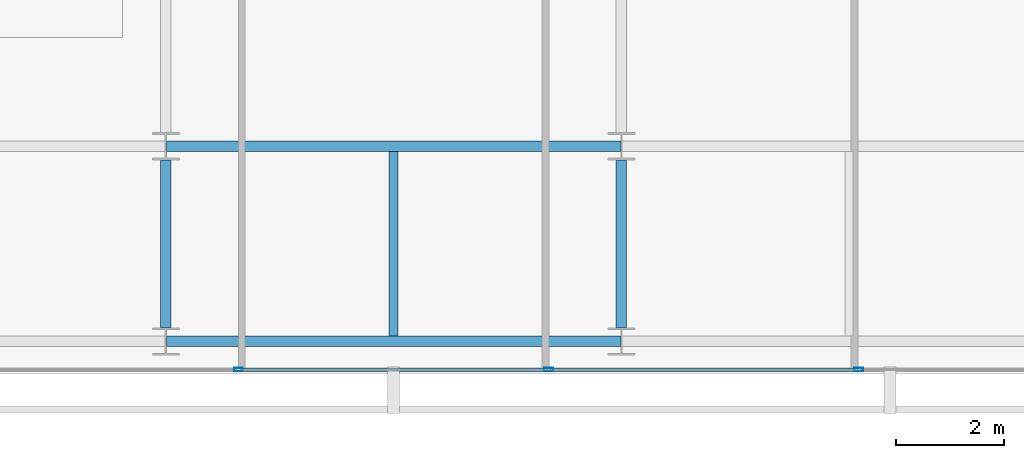
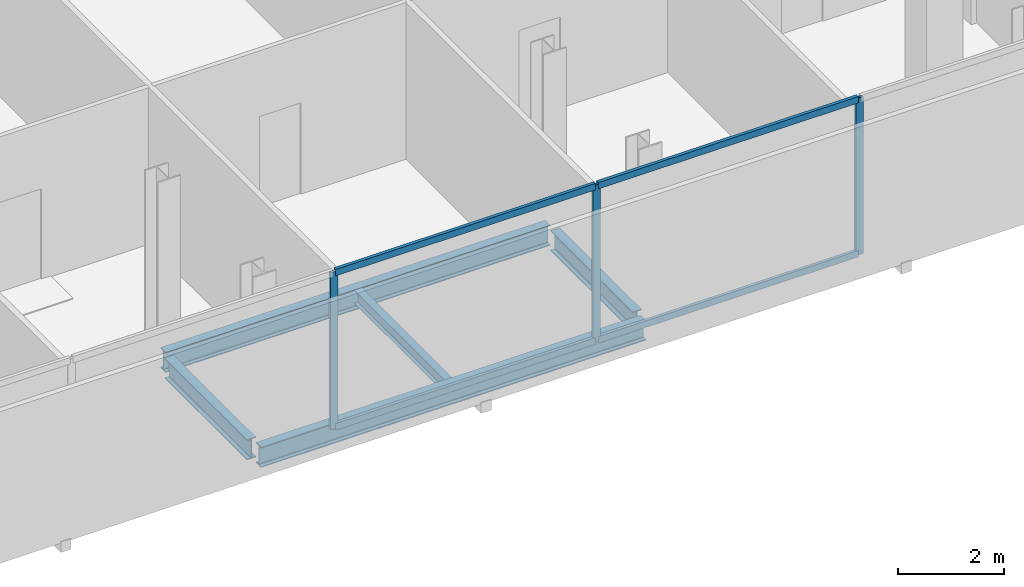
# One storey, part 5 of 24: 7 members, 5 beams, 1 element without a shape of its own.
"""IFC4 building model written with IfcOpenShell, lengths in metres."""

from ifc_helpers import new_model, si_unit, direction, frame, origin, origin_2d, place, context, subcontext, project, spatial, hollow_rectangle, i_section, extrude, material, layer, layer_set, material_profile, profile_set, type_object, element, aggregate, save


model = new_model("IFC4")

# Units and contexts
model_context = context("Model", 3, precision=1e-05, world=origin(), true_north=direction((0.0, 1.0)))
body_context = subcontext(model_context, "Body", "Model", "MODEL_VIEW")
ifc_project = project(units=[si_unit("LENGTHUNIT", "METRE"), si_unit("AREAUNIT", "SQUARE_METRE"), si_unit("VOLUMEUNIT", "CUBIC_METRE"), si_unit("PLANEANGLEUNIT", "RADIAN"), si_unit("MASSUNIT", "GRAM", prefix="KILO")], contexts=[model_context])

# Site, building, storey
site_placement = place(None, origin())
site = spatial("IfcSite", under=ifc_project, at=site_placement, CompositionType="ELEMENT")
building_placement = place(site_placement, origin())
building = spatial("IfcBuilding", under=site, at=building_placement, Name="Maruvema Waterfront Hotel and Observation Tower", CompositionType="ELEMENT")
storey_placement = place(building_placement, frame((0.0, 0.0, 329.699951171875)))
storey = spatial("IfcBuildingStorey", under=building, at=storey_placement, Name="L81", CompositionType="ELEMENT", Elevation=329.699951171875)

# Curtain wall, members
ifc_material_1 = material(Name="Anodised bronze aluminium and solar-control low-E IGU", Category="aluminium")
ifc_layer = layer(ifc_material_1, 0.159912109375, Name="Zone 4 Sky Residence Inner Curtain Wall System CW-05")
ifc_layer_set = layer_set([ifc_layer], Name="Anodised bronze aluminium and solar-control low-E IGU")
curtain_wall_type = type_object("IfcCurtainWallType", Name="Zone 4 Sky Residence Inner Curtain Wall System CW-05", PredefinedType="USERDEFINED", material=ifc_layer_set)
curtain_wall_placement = place(storey_placement, origin())
curtain_wall = element("IfcCurtainWall", 1, at=curtain_wall_placement, inside=storey, type_object=curtain_wall_type, Name="L81 Curtain Wall CW-L81-S", ObjectType="UNITISED CURTAIN WALL", PredefinedType="USERDEFINED")
ifc_material_2 = material(Name="Anodised architectural bronze aluminium", Category="aluminium")
ifc_material_profile_1 = material_profile(ifc_material_2, hollow_rectangle(XDim=0.070068359375, YDim=0.14990234375, WallThickness=0.00390625, at=origin_2d()), Name="ALU-T70x150")
ifc_profile_set_1 = profile_set([ifc_material_profile_1], Name="Anodised architectural bronze aluminium")
member_type_1 = type_object("IfcMemberType", Name="Curtain Wall Horizontal Transom ALU-T70x150", PredefinedType="USERDEFINED", material=ifc_profile_set_1)
member_1_placement = place(storey_placement, frame((34.969970703125, 13.8798828125, 0.030029296875), z_axis=(1.0, 0.0, 0.0), x_axis=(0.0, 1.0, 0.0)))
member_1 = element("IfcMember", 2, at=member_1_placement, type_object=member_type_1, Name="CW-05 transom 3.1", ObjectType="TRANSOM", PredefinedType="USERDEFINED", context=body_context, shape_type="SweptSolid", body=[
    extrude(hollow_rectangle(XDim=0.070068359375, YDim=0.14990234375, WallThickness=0.00390625, at=origin_2d()), origin(), (0.0, 0.0, 1.0), 5.659912109375),
])
member_2_placement = place(storey_placement, frame((34.969970703125, 13.8798828125, 3.580078125), z_axis=(1.0, 0.0, 0.0), x_axis=(0.0, 1.0, 0.0)))
member_2 = element("IfcMember", 3, at=member_2_placement, type_object=member_type_1, Name="CW-05 transom 3.2", ObjectType="TRANSOM", PredefinedType="USERDEFINED", context=body_context, shape_type="SweptSolid", body=[
    extrude(hollow_rectangle(XDim=0.070068359375, YDim=0.14990234375, WallThickness=0.00390625, at=origin_2d()), origin(), (0.0, 0.0, 1.0), 5.659912109375),
])
member_3_placement = place(storey_placement, frame((40.68994140625, 13.8798828125, 0.030029296875), z_axis=(1.0, 0.0, 0.0), x_axis=(0.0, 1.0, 0.0)))
member_3 = element("IfcMember", 4, at=member_3_placement, type_object=member_type_1, Name="CW-05 transom 4.1", ObjectType="TRANSOM", PredefinedType="USERDEFINED", context=body_context, shape_type="SweptSolid", body=[
    extrude(hollow_rectangle(XDim=0.070068359375, YDim=0.14990234375, WallThickness=0.00390625, at=origin_2d()), origin(), (0.0, 0.0, 1.0), 5.66015625),
])
member_4_placement = place(storey_placement, frame((40.68994140625, 13.8798828125, 3.580078125), z_axis=(1.0, 0.0, 0.0), x_axis=(0.0, 1.0, 0.0)))
member_4 = element("IfcMember", 5, at=member_4_placement, type_object=member_type_1, Name="CW-05 transom 4.2", ObjectType="TRANSOM", PredefinedType="USERDEFINED", context=body_context, shape_type="SweptSolid", body=[
    extrude(hollow_rectangle(XDim=0.070068359375, YDim=0.14990234375, WallThickness=0.00390625, at=origin_2d()), origin(), (0.0, 0.0, 1.0), 5.66015625),
])
ifc_material_3 = material(Name="Anodised architectural bronze aluminium", Category="aluminium")
ifc_material_profile_2 = material_profile(ifc_material_3, hollow_rectangle(XDim=0.06494140625, YDim=0.1650390625, WallThickness=0.00390625, at=origin_2d()), Name="ALU-M65x165")
ifc_profile_set_2 = profile_set([ifc_material_profile_2], Name="Anodised architectural bronze aluminium")
member_type_2 = type_object("IfcMemberType", Name="Curtain Wall Primary Mullion ALU-M65x165", PredefinedType="MULLION", material=ifc_profile_set_2)
member_5_placement = place(storey_placement, frame((34.93994140625, 13.8798828125, 0.0), z_axis=(0.0, 0.0, 1.0), x_axis=(0.0, 1.0, 0.0)))
member_5 = element("IfcMember", 6, at=member_5_placement, type_object=member_type_2, Name="CW-05 mullion 3", PredefinedType="MULLION", context=body_context, shape_type="SweptSolid", body=[
    extrude(hollow_rectangle(XDim=0.06494140625, YDim=0.1650390625, WallThickness=0.00390625, at=origin_2d()), origin(), (0.0, 0.0, 1.0), 3.610107421875),
])
member_6_placement = place(storey_placement, frame((40.659912109375, 13.8798828125, 0.0), z_axis=(0.0, 0.0, 1.0), x_axis=(0.0, 1.0, 0.0)))
member_6 = element("IfcMember", 7, at=member_6_placement, type_object=member_type_2, Name="CW-05 mullion 4", PredefinedType="MULLION", context=body_context, shape_type="SweptSolid", body=[
    extrude(hollow_rectangle(XDim=0.06494140625, YDim=0.1650390625, WallThickness=0.00390625, at=origin_2d()), origin(), (0.0, 0.0, 1.0), 3.610107421875),
])
member_7_placement = place(storey_placement, frame((46.3798828125, 13.8798828125, 0.0), z_axis=(0.0, 0.0, 1.0), x_axis=(0.0, 1.0, 0.0)))
member_7 = element("IfcMember", 8, at=member_7_placement, type_object=member_type_2, Name="CW-05 mullion 5", PredefinedType="MULLION", context=body_context, shape_type="SweptSolid", body=[
    extrude(hollow_rectangle(XDim=0.06494140625, YDim=0.1650390625, WallThickness=0.00390625, at=origin_2d()), origin(), (0.0, 0.0, 1.0), 3.610107421875),
])
aggregate(curtain_wall, [member_5, member_6, member_7, member_1, member_2, member_3, member_4])

# Beams
ifc_material_4 = material(Name="Steel ASTM A572 Grade 50", Category="steel")
ifc_material_profile_3 = material_profile(ifc_material_4, i_section(OverallWidth=0.194091796875, OverallDepth=0.468994140625, WebThickness=0.0126953125, FlangeThickness=0.0205078125, FilletRadius=0.014892578125, at=origin_2d()), Name="W460x106.0")
ifc_profile_set_3 = profile_set([ifc_material_profile_3], Name="Steel ASTM A572 Grade 50")
beam_type_1 = type_object("IfcBeamType", Name="Primary Floor Girder W460x106.0", PredefinedType="BEAM", material=ifc_profile_set_3)
for number, where, z_axis, x_axis, name in (
    (9, (33.611083984375, 14.39990234375, -0.474365234375), (1.0, 0.0, 0.0), (0.0, 1.0, 0.0), "L81 Floor Girder EW-02"),
    (10, (33.611083984375, 18.0, -0.474365234375), (1.0, 0.0, 0.0), (0.0, 1.0, 0.0), "L81 Floor Girder EW-05"),
):
    element("IfcBeam", number, at=place(storey_placement, frame(where, z_axis=z_axis, x_axis=x_axis)), inside=storey, type_object=beam_type_1, Name=name, PredefinedType="BEAM", context=body_context, shape_type="SweptSolid", body=[
        extrude(i_section(OverallWidth=0.194091796875, OverallDepth=0.468994140625, WebThickness=0.0126953125, FlangeThickness=0.0205078125, FilletRadius=0.014892578125, at=origin_2d()), origin(), (0.0, 0.0, 1.0), 8.3779296875),
    ])
for number, where, z_axis, x_axis, name in (
    (11, (33.60009765625, 14.64990234375, -0.474365234375), (0.0, 1.0, 0.0), (-1.0, 0.0, 0.0), "L81 Floor Girder NS-07"),
    (12, (42.0, 14.64990234375, -0.474365234375), (0.0, 1.0, 0.0), (-1.0, 0.0, 0.0), "L81 Floor Girder NS-09"),
):
    element("IfcBeam", number, at=place(storey_placement, frame(where, z_axis=z_axis, x_axis=x_axis)), inside=storey, type_object=beam_type_1, Name=name, PredefinedType="BEAM", context=body_context, shape_type="SweptSolid", body=[
        extrude(i_section(OverallWidth=0.194091796875, OverallDepth=0.468994140625, WebThickness=0.0126953125, FlangeThickness=0.0205078125, FilletRadius=0.014892578125, at=origin_2d()), origin(), (0.0, 0.0, 1.0), 3.10009765625),
    ])
ifc_material_5 = material(Name="Steel ASTM A572 Grade 50", Category="steel")
ifc_material_profile_4 = material_profile(ifc_material_5, i_section(OverallWidth=0.1650390625, OverallDepth=0.31005859375, WebThickness=0.005859375, FlangeThickness=0.009765625, FilletRadius=0.012939453125, at=origin_2d()), Name="W310x38.7")
ifc_profile_set_4 = profile_set([ifc_material_profile_4], Name="Steel ASTM A572 Grade 50")
beam_type_2 = type_object("IfcBeamType", Name="Secondary Floor Joist W310x38.7", PredefinedType="JOIST", material=ifc_profile_set_4)
beam_placement = place(storey_placement, frame((37.800048828125, 14.4970703125, -0.39501953125), z_axis=(0.0, 1.0, 0.0), x_axis=(-1.0, 0.0, 0.0)))
element("IfcBeam", 13, at=beam_placement, inside=storey, type_object=beam_type_2, Name="L81 Secondary Floor Joist JS-04", PredefinedType="JOIST", context=body_context, shape_type="SweptSolid", body=[
    extrude(i_section(OverallWidth=0.1650390625, OverallDepth=0.31005859375, WebThickness=0.005859375, FlangeThickness=0.009765625, FilletRadius=0.012939453125, at=origin_2d()), origin(), (0.0, 0.0, 1.0), 3.406005859375),
])

save(model, "model.ifc")
